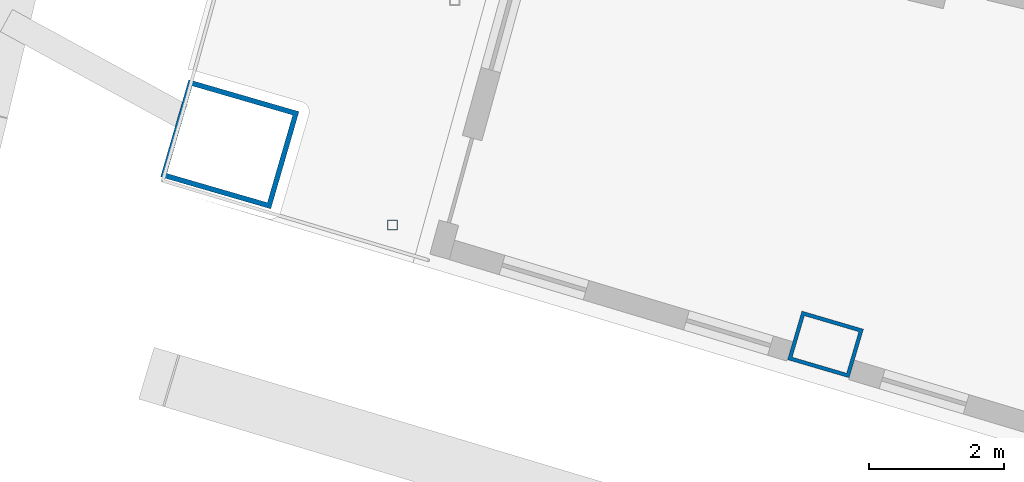
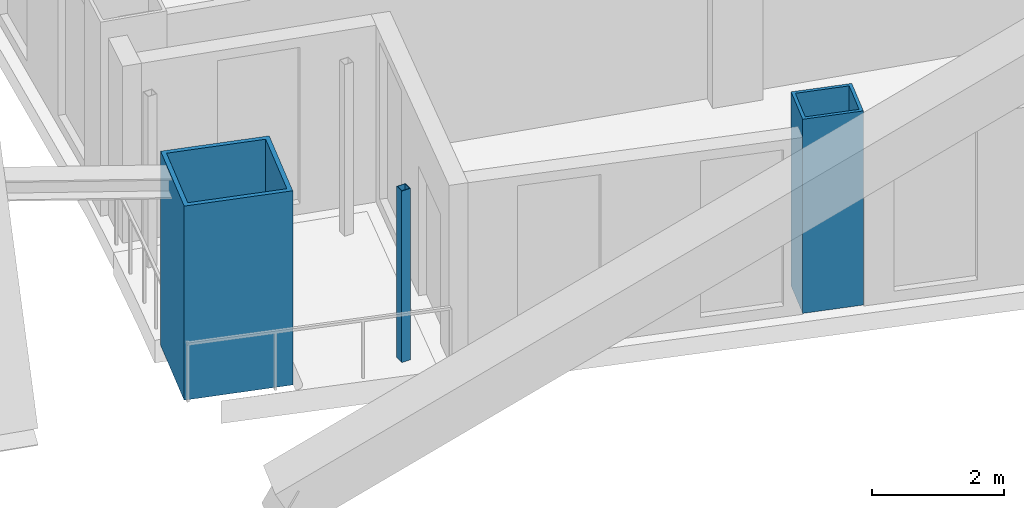
# One storey, part 1 of 20: 3 columns.
"""IFC4 building model written with IfcOpenShell, lengths in metres."""

from ifc_helpers import new_model, si_unit, direction, frame, origin, origin_2d, place, context, subcontext, project, spatial, hollow_rectangle, extrude, material, material_profile, profile_set, type_object, element, save


model = new_model("IFC4")

# Units and contexts
model_context = context("Model", 3, precision=1e-05, world=origin(), true_north=direction((0.0, 1.0)))
body_context = subcontext(model_context, "Body", "Model", "MODEL_VIEW")
ifc_project = project(units=[si_unit("LENGTHUNIT", "METRE"), si_unit("AREAUNIT", "SQUARE_METRE"), si_unit("VOLUMEUNIT", "CUBIC_METRE"), si_unit("PLANEANGLEUNIT", "RADIAN"), si_unit("MASSUNIT", "GRAM", prefix="KILO")], contexts=[model_context])

# Site, building, storey
site_placement = place(None, origin())
site = spatial("IfcSite", under=ifc_project, at=site_placement, CompositionType="ELEMENT")
building_placement = place(site_placement, origin())
building = spatial("IfcBuilding", under=site, at=building_placement, Name="Alderwake Tower", CompositionType="ELEMENT")
storey_placement = place(building_placement, frame((0.0, 0.0, 210.800048828125)))
storey = spatial("IfcBuildingStorey", under=building, at=storey_placement, Name="L52", CompositionType="ELEMENT", Elevation=210.800048828125)

# Columns
ifc_material_1 = material(Name="Steel ASTM A572 Grade 50 concrete filled C70/85", Category="concrete")
ifc_material_profile_1 = material_profile(ifc_material_1, hollow_rectangle(XDim=0.75, YDim=0.949951171875, WallThickness=0.054931640625, at=origin_2d()), Name="BOX 950X750X55")
ifc_profile_set_1 = profile_set([ifc_material_profile_1], Name="Steel ASTM A572 Grade 50 concrete filled C70/85")
column_type_1 = type_object("IfcColumnType", Name="End column Z4", PredefinedType="COLUMN", material=ifc_profile_set_1)
column_1_placement = place(storey_placement, frame((21.885498046875, 31.03759765625, 0.0), z_axis=(0.0, 0.0, 1.0), x_axis=(0.282132160283, 0.95937554906, 0.0)))
element("IfcColumn", 1, at=column_1_placement, inside=storey, type_object=column_type_1, Name="Column R02-C1", PredefinedType="COLUMN", context=body_context, shape_type="SweptSolid", body=[
    extrude(hollow_rectangle(XDim=0.75, YDim=0.949951171875, WallThickness=0.054931640625, at=origin_2d()), origin(), (0.0, 0.0, 1.0), 3.599853515625),
])
ifc_material_2 = material(Name="Steel ASTM A500 Grade C", Category="steel")
ifc_material_profile_2 = material_profile(ifc_material_2, hollow_rectangle(XDim=0.15234375, YDim=0.15234375, WallThickness=0.0087890625, at=origin_2d()), Name="HSS6X6X3/8")
ifc_profile_set_2 = profile_set([ifc_material_profile_2], Name="Steel ASTM A500 Grade C")
column_type_2 = type_object("IfcColumnType", Name="Light post HSS6X6X3/8", PredefinedType="COLUMN", material=ifc_profile_set_2)
column_2_placement = place(storey_placement, frame((15.47412109375, 32.805908203125, 0.0), z_axis=(0.0, 0.0, 1.0), x_axis=(1.0, 0.0, 0.0)))
element("IfcColumn", 2, at=column_2_placement, inside=storey, type_object=column_type_2, Name="Terrace post RS2", PredefinedType="COLUMN", context=body_context, shape_type="SweptSolid", body=[
    extrude(hollow_rectangle(XDim=0.15234375, YDim=0.15234375, WallThickness=0.0087890625, at=origin_2d()), origin(), (0.0, 0.0, 1.0), 3.179931640625),
])
ifc_material_3 = material(Name="Steel ASTM A572 Grade 50 concrete filled C70/85", Category="concrete")
ifc_material_profile_3 = material_profile(ifc_material_3, hollow_rectangle(XDim=1.5, YDim=1.699951171875, WallThickness=0.074951171875, at=origin_2d()), Name="BOX 1700X1500X75")
ifc_profile_set_3 = profile_set([ifc_material_profile_3], Name="Steel ASTM A572 Grade 50 concrete filled C70/85")
column_type_3 = type_object("IfcColumnType", Name="Mega column Z4", PredefinedType="COLUMN", material=ifc_profile_set_3)
column_3_placement = place(storey_placement, frame((13.06298828125, 34.00244140625, 0.0), z_axis=(0.0, 0.0, 1.0), x_axis=(0.278612301868, 0.960403657452, 0.0)))
element("IfcColumn", 3, at=column_3_placement, inside=storey, type_object=column_type_3, Name="Column R02-C0", PredefinedType="COLUMN", context=body_context, shape_type="SweptSolid", body=[
    extrude(hollow_rectangle(XDim=1.5, YDim=1.699951171875, WallThickness=0.074951171875, at=origin_2d()), origin(), (0.0, 0.0, 1.0), 3.599853515625),
])

save(model, "model.ifc")
